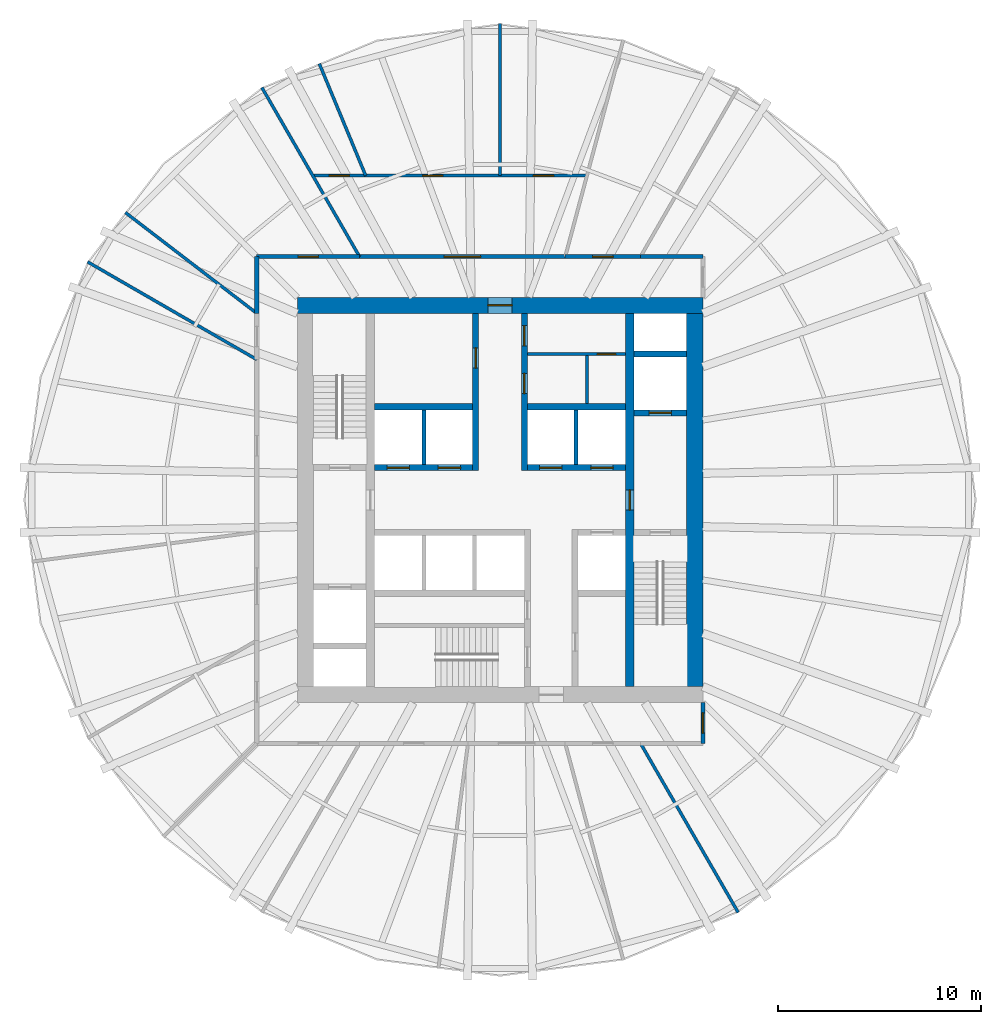
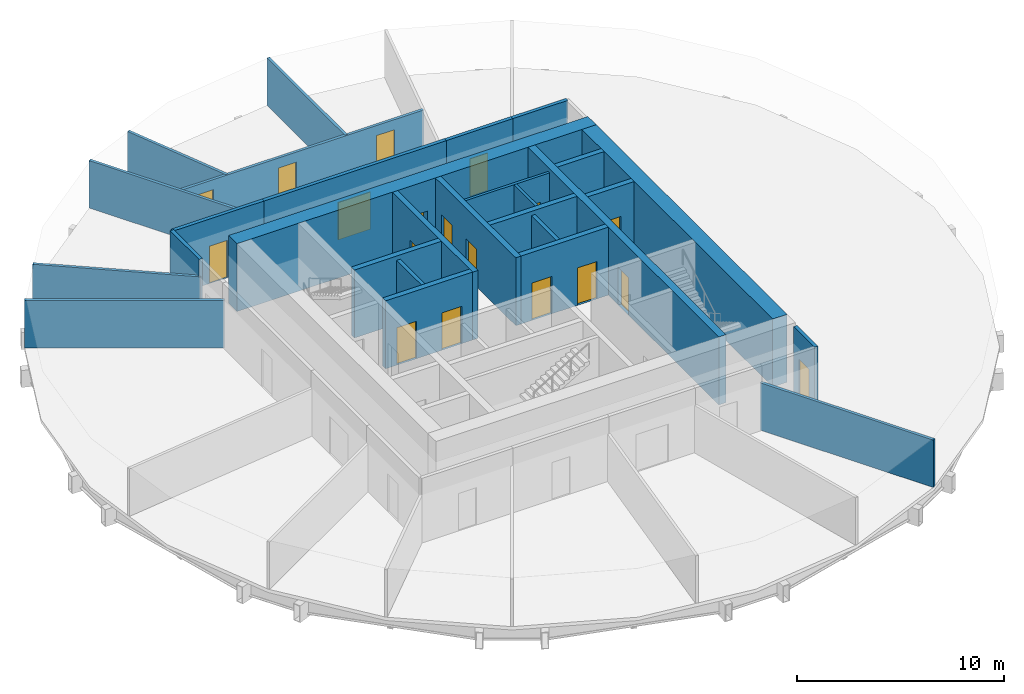
# One storey, part 4 of 6: 28 walls, 18 doors, 18 openings.
"""IFC4 building model written with IfcOpenShell, lengths in metres."""

from ifc_helpers import new_model, si_unit, direction, frame, frame_2d, origin, place, context, subcontext, project, spatial, rectangle, extrude, material, layer, layer_set, type_object, element, fill, save


model = new_model("IFC4")

# Units and contexts
model_context = context("Model", 3, precision=1e-05, world=origin(), true_north=direction((0.0, 1.0)))
body_context = subcontext(model_context, "Body", "Model", "MODEL_VIEW")
ifc_project = project(units=[si_unit("LENGTHUNIT", "METRE"), si_unit("AREAUNIT", "SQUARE_METRE"), si_unit("VOLUMEUNIT", "CUBIC_METRE"), si_unit("PLANEANGLEUNIT", "RADIAN"), si_unit("MASSUNIT", "GRAM", prefix="KILO")], contexts=[model_context])

# Site, building, storey
site_placement = place(None, origin())
site = spatial("IfcSite", under=ifc_project, at=site_placement, CompositionType="ELEMENT")
building_placement = place(site_placement, origin())
building = spatial("IfcBuilding", under=site, at=building_placement, Name="Golbaran Civic Tower", CompositionType="ELEMENT")
storey_placement = place(building_placement, frame((0.0, 0.0, 57.0)))
storey = spatial("IfcBuildingStorey", under=building, at=storey_placement, Name="L13", CompositionType="ELEMENT", Elevation=57.0)

# Wall, opening, door
ifc_material_1 = material(Name="Concrete block", Category="concrete")
ifc_layer_1 = layer(ifc_material_1, 0.14990234375, Name="Concrete block")
ifc_layer_set_1 = layer_set([ifc_layer_1], Name="Concrete block")
wall_type_1 = type_object("IfcWallType", Name="BLOCKWORK PARTITION 150", PredefinedType="PARTITIONING", material=ifc_layer_set_1)
wall_1_placement = place(storey_placement, frame((1.35009765625, 7.199951171875, 0.0), z_axis=(0.0, 0.0, 1.0), x_axis=(1.0, 0.0, 0.0)))
wall_1 = element("IfcWall", 1, at=wall_1_placement, inside=storey, type_object=wall_type_1, Name="Toilet block partition TN1 L13", PredefinedType="PARTITIONING", context=body_context, shape_type="SweptSolid", body=[
    extrude(rectangle(XDim=4.849853515625, YDim=0.14990234375, at=frame_2d((2.4248046875, 0.0))), origin(), (0.0, 0.0, 1.0), 3.75),
])
opening_1_placement = place(wall_1_placement, frame((3.449951171875, 0.0, 0.0)))
opening_1 = element("IfcOpeningElement", 2, at=opening_1_placement, cuts=wall_1, Name="Opening L13.CLN", PredefinedType="OPENING", context=body_context, shape_type="SweptSolid", body=[
    extrude(rectangle(XDim=0.89990234375, YDim=2.199951171875, at=frame_2d((0.449951171875, 1.10009765625))), frame((0.0, 0.0849609375, 0.0), z_axis=(0.0, -1.0, 0.0), x_axis=(1.0, 0.0, 0.0)), (0.0, 0.0, 1.0), 0.169921875),
])
ifc_material_2 = material(Name="Timber door set in steel frame", Category="steel")
door_type_1 = type_object("IfcDoorType", Name="RISER DOOR 900x2200", OperationType="SINGLE_SWING_LEFT", PredefinedType="DOOR", material=ifc_material_2)
door_1_placement = place(opening_1_placement, origin())
door_1 = element("IfcDoor", 3, at=door_1_placement, inside=storey, type_object=door_type_1, Name="Housekeeping Store door", OperationType="SINGLE_SWING_RIGHT", OverallHeight=2.199951171875, OverallWidth=0.89990234375, PredefinedType="DOOR", context=body_context, shape_type="SweptSolid", body=[
    extrude(rectangle(XDim=0.89990234375, YDim=2.199951171875, at=frame_2d((0.449951171875, 1.10009765625))), frame((0.0, 0.02490234375, 0.0), z_axis=(0.0, -1.0, 0.0), x_axis=(1.0, 0.0, 0.0)), (0.0, 0.0, 1.0), 0.050048828125),
])
fill(opening_1, door_1)

# Wall
wall_2_placement = place(storey_placement, frame((4.300048828125, 4.75, 0.0), z_axis=(0.0, 0.0, 1.0), x_axis=(0.0, 1.0, 0.0)))
element("IfcWall", 4, at=wall_2_placement, inside=storey, type_object=wall_type_1, Name="Toilet block partition TN2 L13", PredefinedType="PARTITIONING", context=body_context, shape_type="SweptSolid", body=[
    extrude(rectangle(XDim=2.375, YDim=0.14990234375, at=frame_2d((1.1875, 0.0))), origin(), (0.0, 0.0, 1.0), 3.75),
])

# Wall, opening, door
ifc_material_3 = material(Name="Concrete C50/60", Category="concrete")
ifc_layer_2 = layer(ifc_material_3, 0.39990234375, Name="Concrete C50/60")
ifc_layer_set_2 = layer_set([ifc_layer_2], Name="Concrete C50/60")
wall_type_2 = type_object("IfcWallType", Name="CORE WALL CONCRETE 400", PredefinedType="SOLIDWALL", material=ifc_layer_set_2)
wall_3_placement = place(storey_placement, frame((6.39990234375, 9.199951171875, 0.0), z_axis=(0.0, 0.0, 1.0), x_axis=(0.0, -1.0, 0.0)))
wall_3 = element("IfcWall", 5, at=wall_3_placement, inside=storey, type_object=wall_type_2, Name="Core wall IE L13", PredefinedType="SOLIDWALL", context=body_context, shape_type="SweptSolid", body=[
    extrude(rectangle(XDim=18.39990234375, YDim=0.39990234375, at=frame_2d((9.199951171875, 0.0))), origin(), (0.0, 0.0, 1.0), 4.0),
])
opening_2_placement = place(wall_3_placement, frame((8.699951171875, 0.0, 0.0)))
opening_2 = element("IfcOpeningElement", 6, at=opening_2_placement, cuts=wall_3, Name="Opening L13.FL2", PredefinedType="OPENING", context=body_context, shape_type="SweptSolid", body=[
    extrude(rectangle(XDim=1.0, YDim=2.199951171875, at=frame_2d((0.5, 1.10009765625))), frame((0.0, 0.2099609375, 0.0), z_axis=(0.0, -1.0, 0.0), x_axis=(1.0, 0.0, 0.0)), (0.0, 0.0, 1.0), 0.419921875),
])
door_type_2 = type_object("IfcDoorType", Name="STAIR DOOR 1000x2200", OperationType="SINGLE_SWING_LEFT", PredefinedType="DOOR", material=ifc_material_2)
door_2_placement = place(opening_2_placement, origin())
door_2 = element("IfcDoor", 7, at=door_2_placement, inside=storey, type_object=door_type_2, Name="Fire-fighting lobby FL2 door", OperationType="SINGLE_SWING_RIGHT", OverallHeight=2.199951171875, OverallWidth=1.0, PredefinedType="DOOR", context=body_context, shape_type="SweptSolid", body=[
    extrude(rectangle(XDim=1.0, YDim=2.199951171875, at=frame_2d((0.5, 1.10009765625))), frame((0.0, 0.02490234375, 0.0), z_axis=(0.0, -1.0, 0.0), x_axis=(1.0, 0.0, 0.0)), (0.0, 0.0, 1.0), 0.050048828125),
])
fill(opening_2, door_2)

ifc_layer_3 = layer(ifc_material_3, 0.800048828125, Name="Concrete C50/60")
ifc_layer_set_3 = layer_set([ifc_layer_3], Name="Concrete C50/60")
wall_type_3 = type_object("IfcWallType", Name="CORE WALL CONCRETE 800", PredefinedType="SOLIDWALL", material=ifc_layer_set_3)
wall_4_placement = place(storey_placement, frame((-10.0, 9.60009765625, 0.0), z_axis=(0.0, 0.0, 1.0), x_axis=(1.0, 0.0, 0.0)))
wall_4 = element("IfcWall", 8, at=wall_4_placement, inside=storey, type_object=wall_type_3, Name="Core wall CN L13", PredefinedType="SOLIDWALL", context=body_context, shape_type="SweptSolid", body=[
    extrude(rectangle(XDim=20.0, YDim=0.800048828125, at=frame_2d((10.0, 0.0))), origin(), (0.0, 0.0, 1.0), 4.0),
])
opening_3_placement = place(wall_4_placement, frame((9.39990234375, 0.0, 0.0)))
opening_3 = element("IfcOpeningElement", 9, at=opening_3_placement, cuts=wall_4, Name="Opening L13.CN", PredefinedType="OPENING", context=body_context, shape_type="SweptSolid", body=[
    extrude(rectangle(XDim=1.199951171875, YDim=2.199951171875, at=frame_2d((0.60009765625, 1.10009765625))), frame((0.0, 0.409912109375, 0.0), z_axis=(0.0, -1.0, 0.0), x_axis=(1.0, 0.0, 0.0)), (0.0, 0.0, 1.0), 0.820068359375),
])
door_type_3 = type_object("IfcDoorType", Name="CORE DOOR 1200x2200", OperationType="DOUBLE_DOOR_SINGLE_SWING", PredefinedType="DOOR", material=ifc_material_2)
door_3_placement = place(opening_3_placement, origin())
door_3 = element("IfcDoor", 10, at=door_3_placement, inside=storey, type_object=door_type_3, Name="Core door north", OperationType="DOUBLE_DOOR_SINGLE_SWING", OverallHeight=2.199951171875, OverallWidth=1.199951171875, PredefinedType="DOOR", context=body_context, shape_type="SweptSolid", body=[
    extrude(rectangle(XDim=1.199951171875, YDim=2.199951171875, at=frame_2d((0.60009765625, 1.10009765625))), frame((0.0, 0.02490234375, 0.0), z_axis=(0.0, -1.0, 0.0), x_axis=(1.0, 0.0, 0.0)), (0.0, 0.0, 1.0), 0.050048828125),
])
fill(opening_3, door_3)

# Walls
wall_5_placement = place(storey_placement, frame((9.60009765625, -9.199951171875, 0.0), z_axis=(0.0, 0.0, 1.0), x_axis=(0.0, 1.0, 0.0)))
element("IfcWall", 11, at=wall_5_placement, inside=storey, type_object=wall_type_3, Name="Core wall CE L13", PredefinedType="SOLIDWALL", context=body_context, shape_type="SweptSolid", body=[
    extrude(rectangle(XDim=18.39990234375, YDim=0.800048828125, at=frame_2d((9.199951171875, 0.0))), origin(), (0.0, 0.0, 1.0), 4.0),
])
ifc_material_4 = material(Name="Gypsum board on steel studs, fire-rated", Category="steel")
ifc_layer_4 = layer(ifc_material_4, 0.199951171875, Name="Gypsum board on steel studs, fire-rated")
ifc_layer_set_4 = layer_set([ifc_layer_4], Name="Gypsum board on steel studs, fire-rated")
wall_type_4 = type_object("IfcWallType", Name="CORRIDOR WALL 200", PredefinedType="PARTITIONING", material=ifc_layer_set_4)
wall_6_placement = place(storey_placement, frame((10.0, 12.0, 0.0), z_axis=(0.0, 0.0, 1.0), x_axis=(-1.0, 0.0, 0.0)))
element("IfcWall", 12, at=wall_6_placement, inside=storey, type_object=wall_type_4, Name="Corridor wall L13", PredefinedType="PARTITIONING", context=body_context, shape_type="SweptSolid", body=[
    extrude(rectangle(XDim=3.07177734375, YDim=0.199951171875, at=frame_2d((1.535888671875, 0.0))), origin(), (0.0, 0.0, 1.0), 3.800048828125),
])

# Wall, opening, door
wall_7_placement = place(storey_placement, frame((6.92822265625, 12.0, 0.0), z_axis=(0.0, 0.0, 1.0), x_axis=(-1.0, 0.0, 0.0)))
wall_7 = element("IfcWall", 13, at=wall_7_placement, inside=storey, type_object=wall_type_4, Name="Corridor wall L13", PredefinedType="PARTITIONING", context=body_context, shape_type="SweptSolid", body=[
    extrude(rectangle(XDim=3.712890625, YDim=0.199951171875, at=frame_2d((1.8564453125, 0.0))), origin(), (0.0, 0.0, 1.0), 3.800048828125),
])
opening_4_placement = place(wall_7_placement, frame((1.3564453125, 0.0, 0.0)))
opening_4 = element("IfcOpeningElement", 14, at=opening_4_placement, cuts=wall_7, Name="Opening L13.04", PredefinedType="OPENING", context=body_context, shape_type="SweptSolid", body=[
    extrude(rectangle(XDim=1.0, YDim=2.199951171875, at=frame_2d((0.5, 1.10009765625))), frame((0.0, 0.10986328125, 0.0), z_axis=(0.0, -1.0, 0.0), x_axis=(1.0, 0.0, 0.0)), (0.0, 0.0, 1.0), 0.219970703125),
])
door_type_4 = type_object("IfcDoorType", Name="OFFICE DOOR 1000x2200", OperationType="SINGLE_SWING_LEFT", PredefinedType="DOOR", material=ifc_material_2)
door_4_placement = place(opening_4_placement, origin())
door_4 = element("IfcDoor", 15, at=door_4_placement, inside=storey, type_object=door_type_4, Name="Meeting Room door L13", OperationType="SINGLE_SWING_RIGHT", OverallHeight=2.199951171875, OverallWidth=1.0, PredefinedType="DOOR", context=body_context, shape_type="SweptSolid", body=[
    extrude(rectangle(XDim=1.0, YDim=2.199951171875, at=frame_2d((0.5, 1.10009765625))), frame((0.0, 0.02490234375, 0.0), z_axis=(0.0, -1.0, 0.0), x_axis=(1.0, 0.0, 0.0)), (0.0, 0.0, 1.0), 0.050048828125),
])
fill(opening_4, door_4)

wall_8_placement = place(storey_placement, frame((3.21533203125, 12.0, 0.0), z_axis=(0.0, 0.0, 1.0), x_axis=(-1.0, 0.0, 0.0)))
wall_8 = element("IfcWall", 16, at=wall_8_placement, inside=storey, type_object=wall_type_4, Name="Corridor wall L13", PredefinedType="PARTITIONING", context=body_context, shape_type="SweptSolid", body=[
    extrude(rectangle(XDim=10.1435546875, YDim=0.199951171875, at=frame_2d((5.07177734375, 0.0))), origin(), (0.0, 0.0, 1.0), 3.800048828125),
])
opening_5_placement = place(wall_8_placement, frame((4.171875, 0.0, 0.0)))
opening_5 = element("IfcOpeningElement", 17, at=opening_5_placement, cuts=wall_8, Name="Opening L13.05", PredefinedType="OPENING", context=body_context, shape_type="SweptSolid", body=[
    extrude(rectangle(XDim=1.800048828125, YDim=2.199951171875, at=frame_2d((0.89990234375, 1.10009765625))), frame((0.0, 0.10986328125, 0.0), z_axis=(0.0, -1.0, 0.0), x_axis=(1.0, 0.0, 0.0)), (0.0, 0.0, 1.0), 0.219970703125),
])
door_type_5 = type_object("IfcDoorType", Name="OFFICE DOUBLE DOOR 1800x2200", OperationType="DOUBLE_DOOR_SINGLE_SWING", PredefinedType="DOOR", material=ifc_material_2)
door_5_placement = place(opening_5_placement, origin())
door_5 = element("IfcDoor", 18, at=door_5_placement, inside=storey, type_object=door_type_5, Name="Waiting Area door L13", OperationType="DOUBLE_DOOR_SINGLE_SWING", OverallHeight=2.199951171875, OverallWidth=1.800048828125, PredefinedType="DOOR", context=body_context, shape_type="SweptSolid", body=[
    extrude(rectangle(XDim=1.800048828125, YDim=2.199951171875, at=frame_2d((0.89990234375, 1.10009765625))), frame((0.0, 0.02490234375, 0.0), z_axis=(0.0, -1.0, 0.0), x_axis=(1.0, 0.0, 0.0)), (0.0, 0.0, 1.0), 0.050048828125),
])
fill(opening_5, door_5)

wall_9_placement = place(storey_placement, frame((-6.92822265625, 12.0, 0.0), z_axis=(0.0, 0.0, 1.0), x_axis=(-1.0, 0.0, 0.0)))
wall_9 = element("IfcWall", 19, at=wall_9_placement, inside=storey, type_object=wall_type_4, Name="Corridor wall L13", PredefinedType="PARTITIONING", context=body_context, shape_type="SweptSolid", body=[
    extrude(rectangle(XDim=5.07177734375, YDim=0.199951171875, at=frame_2d((2.535888671875, 0.0))), origin(), (0.0, 0.0, 1.0), 3.800048828125),
])
opening_6_placement = place(wall_9_placement, frame((2.035888671875, 0.0, 0.0)))
opening_6 = element("IfcOpeningElement", 20, at=opening_6_placement, cuts=wall_9, Name="Opening L13.06", PredefinedType="OPENING", context=body_context, shape_type="SweptSolid", body=[
    extrude(rectangle(XDim=1.0, YDim=2.199951171875, at=frame_2d((0.5, 1.10009765625))), frame((0.0, 0.10986328125, 0.0), z_axis=(0.0, -1.0, 0.0), x_axis=(1.0, 0.0, 0.0)), (0.0, 0.0, 1.0), 0.219970703125),
])
door_6_placement = place(opening_6_placement, origin())
door_6 = element("IfcDoor", 21, at=door_6_placement, inside=storey, type_object=door_type_4, Name="Meeting Room door L13", OperationType="SINGLE_SWING_RIGHT", OverallHeight=2.199951171875, OverallWidth=1.0, PredefinedType="DOOR", context=body_context, shape_type="SweptSolid", body=[
    extrude(rectangle(XDim=1.0, YDim=2.199951171875, at=frame_2d((0.5, 1.10009765625))), frame((0.0, 0.02490234375, 0.0), z_axis=(0.0, -1.0, 0.0), x_axis=(1.0, 0.0, 0.0)), (0.0, 0.0, 1.0), 0.050048828125),
])
fill(opening_6, door_6)

# Wall
wall_10_placement = place(storey_placement, frame((-12.0, 12.0, 0.0), z_axis=(0.0, 0.0, 1.0), x_axis=(0.0, -1.0, 0.0)))
element("IfcWall", 22, at=wall_10_placement, inside=storey, type_object=wall_type_4, Name="Corridor wall L13", PredefinedType="PARTITIONING", context=body_context, shape_type="SweptSolid", body=[
    extrude(rectangle(XDim=2.7919921875, YDim=0.199951171875, at=frame_2d((1.39599609375, 0.0))), origin(), (0.0, 0.0, 1.0), 3.800048828125),
])

# Wall, opening, door
wall_11_placement = place(storey_placement, frame((10.0, -10.0, 0.0), z_axis=(0.0, 0.0, 1.0), x_axis=(0.0, -1.0, 0.0)))
wall_11 = element("IfcWall", 23, at=wall_11_placement, inside=storey, type_object=wall_type_4, Name="Corridor end wall L13", PredefinedType="PARTITIONING", context=body_context, shape_type="SweptSolid", body=[
    extrude(rectangle(XDim=2.0, YDim=0.199951171875, at=frame_2d((1.0, 0.0))), origin(), (0.0, 0.0, 1.0), 3.800048828125),
])
opening_7_placement = place(wall_11_placement, frame((0.5, 0.0, 0.0)))
opening_7 = element("IfcOpeningElement", 24, at=opening_7_placement, cuts=wall_11, Name="Opening L13.16", PredefinedType="OPENING", context=body_context, shape_type="SweptSolid", body=[
    extrude(rectangle(XDim=1.0, YDim=2.199951171875, at=frame_2d((0.5, 1.10009765625))), frame((0.0, 0.10986328125, 0.0), z_axis=(0.0, -1.0, 0.0), x_axis=(1.0, 0.0, 0.0)), (0.0, 0.0, 1.0), 0.219970703125),
])
door_7_placement = place(opening_7_placement, origin())
door_7 = element("IfcDoor", 25, at=door_7_placement, inside=storey, type_object=door_type_4, Name="Open Office door L13", OperationType="SINGLE_SWING_RIGHT", OverallHeight=2.199951171875, OverallWidth=1.0, PredefinedType="DOOR", context=body_context, shape_type="SweptSolid", body=[
    extrude(rectangle(XDim=1.0, YDim=2.199951171875, at=frame_2d((0.5, 1.10009765625))), frame((0.0, 0.02490234375, 0.0), z_axis=(0.0, -1.0, 0.0), x_axis=(1.0, 0.0, 0.0)), (0.0, 0.0, 1.0), 0.050048828125),
])
fill(opening_7, door_7)

# Walls
ifc_layer_5 = layer(ifc_material_1, 0.199951171875, Name="Concrete block")
ifc_layer_set_5 = layer_set([ifc_layer_5], Name="Concrete block")
wall_type_5 = type_object("IfcWallType", Name="LIFT SEPARATOR WALL 200", PredefinedType="SOLIDWALL", material=ifc_layer_set_5)
for number, where, z_axis, x_axis, name in (
    (26, (-3.75, 1.75, 0.0), (0.0, 0.0, 1.0), (0.0, 1.0, 0.0), "Core partition SNW L13"),
    (27, (3.75, 1.75, 0.0), (0.0, 0.0, 1.0), (0.0, 1.0, 0.0), "Core partition SNE L13"),
):
    element("IfcWall", number, at=place(storey_placement, frame(where, z_axis=z_axis, x_axis=x_axis)), inside=storey, type_object=wall_type_5, Name=name, PredefinedType="SOLIDWALL", context=body_context, shape_type="SweptSolid", body=[
        extrude(rectangle(XDim=2.699951171875, YDim=0.199951171875, at=frame_2d((1.35009765625, 0.0))), origin(), (0.0, 0.0, 1.0), 3.75),
    ])
ifc_material_5 = material(Name="Gypsum board on steel studs", Category="steel")
ifc_layer_6 = layer(ifc_material_5, 0.14990234375, Name="Gypsum board on steel studs")
ifc_layer_set_6 = layer_set([ifc_layer_6], Name="Gypsum board on steel studs")
wall_type_6 = type_object("IfcWallType", Name="OFFICE PARTITION 150", PredefinedType="PARTITIONING", material=ifc_layer_set_6)
wall_12_placement = place(storey_placement, frame((-6.92822265625, 12.0, 0.0), z_axis=(0.0, 0.0, 1.0), x_axis=(-0.499991431567, 0.866030350715, 0.0)))
element("IfcWall", 28, at=wall_12_placement, inside=storey, type_object=wall_type_6, Name="Partition 120 L13", PredefinedType="PARTITIONING", context=body_context, shape_type="SweptSolid", body=[
    extrude(rectangle(XDim=9.637939453125, YDim=0.14990234375, at=frame_2d((4.81884765625, 0.0))), origin(), (0.0, 0.0, 1.0), 2.7900390625),
])
wall_13_placement = place(storey_placement, frame((-12.0, 9.2080078125, 0.0), z_axis=(0.0, 0.0, 1.0), x_axis=(-0.793362371633, 0.608749658954, 0.0)))
element("IfcWall", 29, at=wall_13_placement, inside=storey, type_object=wall_type_6, Name="Partition 142.5 L13", PredefinedType="PARTITIONING", context=body_context, shape_type="SweptSolid", body=[
    extrude(rectangle(XDim=8.16748046875, YDim=0.14990234375, at=frame_2d((4.083740234375, 0.0))), origin(), (0.0, 0.0, 1.0), 2.7900390625),
])
for number, where, z_axis, x_axis, name in (
    (30, (-12.0, 6.92822265625, 0.0), (0.0, 0.0, 1.0), (-0.866030350715, 0.499991431567, 0.0), "Partition 150 L13"),
    (31, (6.92822265625, -12.0, 0.0), (0.0, 0.0, 1.0), (0.499991431567, -0.866030350715, 0.0), "Partition 300 L13"),
):
    element("IfcWall", number, at=place(storey_placement, frame(where, z_axis=z_axis, x_axis=x_axis)), inside=storey, type_object=wall_type_6, Name=name, PredefinedType="PARTITIONING", context=body_context, shape_type="SweptSolid", body=[
        extrude(rectangle(XDim=9.637939453125, YDim=0.14990234375, at=frame_2d((4.81884765625, 0.0))), origin(), (0.0, 0.0, 1.0), 2.7900390625),
    ])

# Wall, openings, doors
wall_14_placement = place(storey_placement, frame((4.287109375, 16.0, 0.0), z_axis=(0.0, 0.0, 1.0), x_axis=(-1.0, 0.0, 0.0)))
wall_14 = element("IfcWall", 32, at=wall_14_placement, inside=storey, type_object=wall_type_6, Name="Suite partition L13", PredefinedType="PARTITIONING", context=body_context, shape_type="SweptSolid", body=[
    extrude(rectangle(XDim=13.524658203125, YDim=0.14990234375, at=frame_2d((6.76220703125, 0.0))), origin(), (0.0, 0.0, 1.0), 2.7900390625),
])
opening_8_placement = place(wall_14_placement, frame((1.6435546875, 0.0, 0.0)))
opening_8 = element("IfcOpeningElement", 33, at=opening_8_placement, cuts=wall_14, Name="Opening L13.01", PredefinedType="OPENING", context=body_context, shape_type="SweptSolid", body=[
    extrude(rectangle(XDim=1.0, YDim=2.199951171875, at=frame_2d((0.5, 1.10009765625))), frame((0.0, 0.0849609375, 0.0), z_axis=(0.0, -1.0, 0.0), x_axis=(1.0, 0.0, 0.0)), (0.0, 0.0, 1.0), 0.169921875),
])
opening_9_placement = place(wall_14_placement, frame((7.100830078125, 0.0, 0.0)))
opening_9 = element("IfcOpeningElement", 34, at=opening_9_placement, cuts=wall_14, Name="Opening L13.02", PredefinedType="OPENING", context=body_context, shape_type="SweptSolid", body=[
    extrude(rectangle(XDim=1.0, YDim=2.199951171875, at=frame_2d((0.5, 1.10009765625))), frame((0.0, 0.0849609375, 0.0), z_axis=(0.0, -1.0, 0.0), x_axis=(1.0, 0.0, 0.0)), (0.0, 0.0, 1.0), 0.169921875),
])
opening_10_placement = place(wall_14_placement, frame((11.7197265625, 0.0, 0.0)))
opening_10 = element("IfcOpeningElement", 35, at=opening_10_placement, cuts=wall_14, Name="Opening L13.03", PredefinedType="OPENING", context=body_context, shape_type="SweptSolid", body=[
    extrude(rectangle(XDim=1.0, YDim=2.199951171875, at=frame_2d((0.5, 1.10009765625))), frame((0.0, 0.0849609375, 0.0), z_axis=(0.0, -1.0, 0.0), x_axis=(1.0, 0.0, 0.0)), (0.0, 0.0, 1.0), 0.169921875),
])
door_8_placement = place(opening_8_placement, origin())
door_8 = element("IfcDoor", 36, at=door_8_placement, inside=storey, type_object=door_type_4, Name="Director's Office door L13", OperationType="SINGLE_SWING_LEFT", OverallHeight=2.199951171875, OverallWidth=1.0, PredefinedType="DOOR", context=body_context, shape_type="SweptSolid", body=[
    extrude(rectangle(XDim=1.0, YDim=2.199951171875, at=frame_2d((0.5, 1.10009765625))), frame((0.0, 0.02490234375, 0.0), z_axis=(0.0, -1.0, 0.0), x_axis=(1.0, 0.0, 0.0)), (0.0, 0.0, 1.0), 0.050048828125),
])
fill(opening_8, door_8)
door_9_placement = place(opening_9_placement, origin())
door_9 = element("IfcDoor", 37, at=door_9_placement, inside=storey, type_object=door_type_4, Name="Director's Office door L13", OperationType="SINGLE_SWING_RIGHT", OverallHeight=2.199951171875, OverallWidth=1.0, PredefinedType="DOOR", context=body_context, shape_type="SweptSolid", body=[
    extrude(rectangle(XDim=1.0, YDim=2.199951171875, at=frame_2d((0.5, 1.10009765625))), frame((0.0, 0.02490234375, 0.0), z_axis=(0.0, -1.0, 0.0), x_axis=(1.0, 0.0, 0.0)), (0.0, 0.0, 1.0), 0.050048828125),
])
fill(opening_9, door_9)
door_10_placement = place(opening_10_placement, origin())
door_10 = element("IfcDoor", 38, at=door_10_placement, inside=storey, type_object=door_type_4, Name="Office door L13", OperationType="SINGLE_SWING_RIGHT", OverallHeight=2.199951171875, OverallWidth=1.0, PredefinedType="DOOR", context=body_context, shape_type="SweptSolid", body=[
    extrude(rectangle(XDim=1.0, YDim=2.199951171875, at=frame_2d((0.5, 1.10009765625))), frame((0.0, 0.02490234375, 0.0), z_axis=(0.0, -1.0, 0.0), x_axis=(1.0, 0.0, 0.0)), (0.0, 0.0, 1.0), 0.050048828125),
])
fill(opening_10, door_10)

# Walls
wall_15_placement = place(storey_placement, frame((0.0, 16.0, 0.0), z_axis=(0.0, 0.0, 1.0), x_axis=(0.0, 1.0, 0.0)))
element("IfcWall", 39, at=wall_15_placement, inside=storey, type_object=wall_type_6, Name="Partition 90 L13", PredefinedType="PARTITIONING", context=body_context, shape_type="SweptSolid", body=[
    extrude(rectangle(XDim=7.494140625, YDim=0.14990234375, at=frame_2d((3.7470703125, 0.0))), origin(), (0.0, 0.0, 1.0), 2.7900390625),
])
wall_16_placement = place(storey_placement, frame((-6.62744140625, 16.0, 0.0), z_axis=(0.0, 0.0, 1.0), x_axis=(-0.382670574825, 0.923884858174, 0.0)))
element("IfcWall", 40, at=wall_16_placement, inside=storey, type_object=wall_type_6, Name="Partition 112.5 L13", PredefinedType="PARTITIONING", context=body_context, shape_type="SweptSolid", body=[
    extrude(rectangle(XDim=5.974853515625, YDim=0.14990234375, at=frame_2d((2.9873046875, 0.0))), origin(), (0.0, 0.0, 1.0), 2.7900390625),
])

# Wall, openings, doors
ifc_layer_7 = layer(ifc_material_3, 0.300048828125, Name="Concrete C50/60")
ifc_layer_set_7 = layer_set([ifc_layer_7], Name="Concrete C50/60")
wall_type_7 = type_object("IfcWallType", Name="SHAFT WALL CONCRETE 300", PredefinedType="SOLIDWALL", material=ifc_layer_set_7)
wall_17_placement = place(storey_placement, frame((-6.199951171875, 1.60009765625, 0.0), z_axis=(0.0, 0.0, 1.0), x_axis=(1.0, 0.0, 0.0)))
wall_17 = element("IfcWall", 41, at=wall_17_placement, inside=storey, type_object=wall_type_7, Name="Core wall FNW L13", PredefinedType="SOLIDWALL", context=body_context, shape_type="SweptSolid", body=[
    extrude(rectangle(XDim=4.849853515625, YDim=0.300048828125, at=frame_2d((2.4248046875, 0.0))), origin(), (0.0, 0.0, 1.0), 4.0),
])
opening_11_placement = place(wall_17_placement, frame((0.625, 0.0, 0.0)))
opening_11 = element("IfcOpeningElement", 42, at=opening_11_placement, cuts=wall_17, Name="Opening L13.LD-Z1L", PredefinedType="OPENING", context=body_context, shape_type="SweptSolid", body=[
    extrude(rectangle(XDim=1.10009765625, YDim=2.199951171875, at=frame_2d((0.550048828125, 1.10009765625))), frame((0.0, 0.159912109375, 0.0), z_axis=(0.0, -1.0, 0.0), x_axis=(1.0, 0.0, 0.0)), (0.0, 0.0, 1.0), 0.320068359375),
])
opening_12_placement = place(wall_17_placement, frame((3.14990234375, 0.0, 0.0)))
opening_12 = element("IfcOpeningElement", 43, at=opening_12_placement, cuts=wall_17, Name="Opening L13.LD-Z2L", PredefinedType="OPENING", context=body_context, shape_type="SweptSolid", body=[
    extrude(rectangle(XDim=1.10009765625, YDim=2.199951171875, at=frame_2d((0.550048828125, 1.10009765625))), frame((0.0, 0.159912109375, 0.0), z_axis=(0.0, -1.0, 0.0), x_axis=(1.0, 0.0, 0.0)), (0.0, 0.0, 1.0), 0.320068359375),
])
ifc_material_6 = material(Name="Stainless steel", Category="steel")
door_type_6 = type_object("IfcDoorType", Name="LIFT LANDING DOOR 1100x2200", OperationType="SLIDING_TO_LEFT", PredefinedType="DOOR", material=ifc_material_6)
door_11_placement = place(opening_11_placement, origin())
door_11 = element("IfcDoor", 44, at=door_11_placement, inside=storey, type_object=door_type_6, Name="Lift landing door Z1L", OperationType="SLIDING_TO_LEFT", OverallHeight=2.199951171875, OverallWidth=1.10009765625, PredefinedType="DOOR", context=body_context, shape_type="SweptSolid", body=[
    extrude(rectangle(XDim=1.10009765625, YDim=2.199951171875, at=frame_2d((0.550048828125, 1.10009765625))), frame((0.0, 0.02490234375, 0.0), z_axis=(0.0, -1.0, 0.0), x_axis=(1.0, 0.0, 0.0)), (0.0, 0.0, 1.0), 0.050048828125),
])
fill(opening_11, door_11)
door_12_placement = place(opening_12_placement, origin())
door_12 = element("IfcDoor", 45, at=door_12_placement, inside=storey, type_object=door_type_6, Name="Lift landing door Z2L", OperationType="SLIDING_TO_LEFT", OverallHeight=2.199951171875, OverallWidth=1.10009765625, PredefinedType="DOOR", context=body_context, shape_type="SweptSolid", body=[
    extrude(rectangle(XDim=1.10009765625, YDim=2.199951171875, at=frame_2d((0.550048828125, 1.10009765625))), frame((0.0, 0.02490234375, 0.0), z_axis=(0.0, -1.0, 0.0), x_axis=(1.0, 0.0, 0.0)), (0.0, 0.0, 1.0), 0.050048828125),
])
fill(opening_12, door_12)

wall_18_placement = place(storey_placement, frame((1.35009765625, 1.60009765625, 0.0), z_axis=(0.0, 0.0, 1.0), x_axis=(1.0, 0.0, 0.0)))
wall_18 = element("IfcWall", 46, at=wall_18_placement, inside=storey, type_object=wall_type_7, Name="Core wall FNE L13", PredefinedType="SOLIDWALL", context=body_context, shape_type="SweptSolid", body=[
    extrude(rectangle(XDim=4.849853515625, YDim=0.300048828125, at=frame_2d((2.4248046875, 0.0))), origin(), (0.0, 0.0, 1.0), 4.0),
])
opening_13_placement = place(wall_18_placement, frame((0.60009765625, 0.0, 0.0)))
opening_13 = element("IfcOpeningElement", 47, at=opening_13_placement, cuts=wall_18, Name="Opening L13.LD-Z3L", PredefinedType="OPENING", context=body_context, shape_type="SweptSolid", body=[
    extrude(rectangle(XDim=1.10009765625, YDim=2.199951171875, at=frame_2d((0.550048828125, 1.10009765625))), frame((0.0, 0.159912109375, 0.0), z_axis=(0.0, -1.0, 0.0), x_axis=(1.0, 0.0, 0.0)), (0.0, 0.0, 1.0), 0.320068359375),
])
opening_14_placement = place(wall_18_placement, frame((3.125, 0.0, 0.0)))
opening_14 = element("IfcOpeningElement", 48, at=opening_14_placement, cuts=wall_18, Name="Opening L13.LD-Z4L", PredefinedType="OPENING", context=body_context, shape_type="SweptSolid", body=[
    extrude(rectangle(XDim=1.10009765625, YDim=2.199951171875, at=frame_2d((0.550048828125, 1.10009765625))), frame((0.0, 0.159912109375, 0.0), z_axis=(0.0, -1.0, 0.0), x_axis=(1.0, 0.0, 0.0)), (0.0, 0.0, 1.0), 0.320068359375),
])
door_13_placement = place(opening_13_placement, origin())
door_13 = element("IfcDoor", 49, at=door_13_placement, inside=storey, type_object=door_type_6, Name="Lift landing door Z3L", OperationType="SLIDING_TO_LEFT", OverallHeight=2.199951171875, OverallWidth=1.10009765625, PredefinedType="DOOR", context=body_context, shape_type="SweptSolid", body=[
    extrude(rectangle(XDim=1.10009765625, YDim=2.199951171875, at=frame_2d((0.550048828125, 1.10009765625))), frame((0.0, 0.02490234375, 0.0), z_axis=(0.0, -1.0, 0.0), x_axis=(1.0, 0.0, 0.0)), (0.0, 0.0, 1.0), 0.050048828125),
])
fill(opening_13, door_13)
door_14_placement = place(opening_14_placement, origin())
door_14 = element("IfcDoor", 50, at=door_14_placement, inside=storey, type_object=door_type_6, Name="Lift landing door Z4L", OperationType="SLIDING_TO_LEFT", OverallHeight=2.199951171875, OverallWidth=1.10009765625, PredefinedType="DOOR", context=body_context, shape_type="SweptSolid", body=[
    extrude(rectangle(XDim=1.10009765625, YDim=2.199951171875, at=frame_2d((0.550048828125, 1.10009765625))), frame((0.0, 0.02490234375, 0.0), z_axis=(0.0, -1.0, 0.0), x_axis=(1.0, 0.0, 0.0)), (0.0, 0.0, 1.0), 0.050048828125),
])
fill(opening_14, door_14)

# Walls
for number, where, z_axis, x_axis, name in (
    (51, (-6.199951171875, 4.60009765625, 0.0), (0.0, 0.0, 1.0), (1.0, 0.0, 0.0), "Core wall BNW L13"),
    (52, (1.35009765625, 4.60009765625, 0.0), (0.0, 0.0, 1.0), (1.0, 0.0, 0.0), "Core wall BNE L13"),
):
    element("IfcWall", number, at=place(storey_placement, frame(where, z_axis=z_axis, x_axis=x_axis)), inside=storey, type_object=wall_type_7, Name=name, PredefinedType="SOLIDWALL", context=body_context, shape_type="SweptSolid", body=[
        extrude(rectangle(XDim=4.849853515625, YDim=0.300048828125, at=frame_2d((2.4248046875, 0.0))), origin(), (0.0, 0.0, 1.0), 4.0),
    ])

# Wall, opening, door
wall_19_placement = place(storey_placement, frame((-1.199951171875, 1.449951171875, 0.0), z_axis=(0.0, 0.0, 1.0), x_axis=(0.0, 1.0, 0.0)))
wall_19 = element("IfcWall", 53, at=wall_19_placement, inside=storey, type_object=wall_type_7, Name="Core wall PNW L13", PredefinedType="SOLIDWALL", context=body_context, shape_type="SweptSolid", body=[
    extrude(rectangle(XDim=7.75, YDim=0.300048828125, at=frame_2d((3.875, 0.0))), origin(), (0.0, 0.0, 1.0), 4.0),
])
opening_15_placement = place(wall_19_placement, frame((5.050048828125, 0.0, 0.0)))
opening_15 = element("IfcOpeningElement", 54, at=opening_15_placement, cuts=wall_19, Name="Opening L13.WCM", PredefinedType="OPENING", context=body_context, shape_type="SweptSolid", body=[
    extrude(rectangle(XDim=1.0, YDim=2.199951171875, at=frame_2d((0.5, 1.10009765625))), frame((0.0, 0.159912109375, 0.0), z_axis=(0.0, -1.0, 0.0), x_axis=(1.0, 0.0, 0.0)), (0.0, 0.0, 1.0), 0.320068359375),
])
door_type_7 = type_object("IfcDoorType", Name="TOILET DOOR 1000x2200", OperationType="SINGLE_SWING_LEFT", PredefinedType="DOOR", material=ifc_material_2)
door_15_placement = place(opening_15_placement, origin())
door_15 = element("IfcDoor", 55, at=door_15_placement, inside=storey, type_object=door_type_7, Name="North-west toilet block door", OperationType="SINGLE_SWING_RIGHT", OverallHeight=2.199951171875, OverallWidth=1.0, PredefinedType="DOOR", context=body_context, shape_type="SweptSolid", body=[
    extrude(rectangle(XDim=1.0, YDim=2.199951171875, at=frame_2d((0.5, 1.10009765625))), frame((0.0, 0.02490234375, 0.0), z_axis=(0.0, -1.0, 0.0), x_axis=(1.0, 0.0, 0.0)), (0.0, 0.0, 1.0), 0.050048828125),
])
fill(opening_15, door_15)

# Wall, openings, doors
wall_20_placement = place(storey_placement, frame((1.199951171875, 1.449951171875, 0.0), z_axis=(0.0, 0.0, 1.0), x_axis=(0.0, 1.0, 0.0)))
wall_20 = element("IfcWall", 56, at=wall_20_placement, inside=storey, type_object=wall_type_7, Name="Core wall PNE L13", PredefinedType="SOLIDWALL", context=body_context, shape_type="SweptSolid", body=[
    extrude(rectangle(XDim=7.75, YDim=0.300048828125, at=frame_2d((3.875, 0.0))), origin(), (0.0, 0.0, 1.0), 4.0),
])
opening_16_placement = place(wall_20_placement, frame((3.800048828125, 0.0, 0.0)))
opening_16 = element("IfcOpeningElement", 57, at=opening_16_placement, cuts=wall_20, Name="Opening L13.WCA", PredefinedType="OPENING", context=body_context, shape_type="SweptSolid", body=[
    extrude(rectangle(XDim=1.0, YDim=2.199951171875, at=frame_2d((0.5, 1.10009765625))), frame((0.0, 0.159912109375, 0.0), z_axis=(0.0, -1.0, 0.0), x_axis=(1.0, 0.0, 0.0)), (0.0, 0.0, 1.0), 0.320068359375),
])
opening_17_placement = place(wall_20_placement, frame((6.14990234375, 0.0, 0.0)))
opening_17 = element("IfcOpeningElement", 58, at=opening_17_placement, cuts=wall_20, Name="Opening L13.WCF", PredefinedType="OPENING", context=body_context, shape_type="SweptSolid", body=[
    extrude(rectangle(XDim=1.0, YDim=2.199951171875, at=frame_2d((0.5, 1.10009765625))), frame((0.0, 0.159912109375, 0.0), z_axis=(0.0, -1.0, 0.0), x_axis=(1.0, 0.0, 0.0)), (0.0, 0.0, 1.0), 0.320068359375),
])
door_16_placement = place(opening_16_placement, origin())
door_16 = element("IfcDoor", 59, at=door_16_placement, inside=storey, type_object=door_type_7, Name="Accessible WC door", OperationType="SINGLE_SWING_RIGHT", OverallHeight=2.199951171875, OverallWidth=1.0, PredefinedType="DOOR", context=body_context, shape_type="SweptSolid", body=[
    extrude(rectangle(XDim=1.0, YDim=2.199951171875, at=frame_2d((0.5, 1.10009765625))), frame((0.0, 0.02490234375, 0.0), z_axis=(0.0, -1.0, 0.0), x_axis=(1.0, 0.0, 0.0)), (0.0, 0.0, 1.0), 0.050048828125),
])
fill(opening_16, door_16)
door_17_placement = place(opening_17_placement, origin())
door_17 = element("IfcDoor", 60, at=door_17_placement, inside=storey, type_object=door_type_7, Name="North-east toilet block door", OperationType="SINGLE_SWING_RIGHT", OverallHeight=2.199951171875, OverallWidth=1.0, PredefinedType="DOOR", context=body_context, shape_type="SweptSolid", body=[
    extrude(rectangle(XDim=1.0, YDim=2.199951171875, at=frame_2d((0.5, 1.10009765625))), frame((0.0, 0.02490234375, 0.0), z_axis=(0.0, -1.0, 0.0), x_axis=(1.0, 0.0, 0.0)), (0.0, 0.0, 1.0), 0.050048828125),
])
fill(opening_17, door_17)

# Wall, opening, door
wall_21_placement = place(storey_placement, frame((6.60009765625, 4.300048828125, 0.0), z_axis=(0.0, 0.0, 1.0), x_axis=(1.0, 0.0, 0.0)))
wall_21 = element("IfcWall", 61, at=wall_21_placement, inside=storey, type_object=wall_type_7, Name="Core wall XE2 L13", PredefinedType="SOLIDWALL", context=body_context, shape_type="SweptSolid", body=[
    extrude(rectangle(XDim=2.599853515625, YDim=0.300048828125, at=frame_2d((1.2998046875, 0.0))), origin(), (0.0, 0.0, 1.0), 4.0),
])
opening_18_placement = place(wall_21_placement, frame((0.75, 0.0, 0.0)))
opening_18 = element("IfcOpeningElement", 62, at=opening_18_placement, cuts=wall_21, Name="Opening L13.LD-F2", PredefinedType="OPENING", context=body_context, shape_type="SweptSolid", body=[
    extrude(rectangle(XDim=1.10009765625, YDim=2.199951171875, at=frame_2d((0.550048828125, 1.10009765625))), frame((0.0, 0.159912109375, 0.0), z_axis=(0.0, -1.0, 0.0), x_axis=(1.0, 0.0, 0.0)), (0.0, 0.0, 1.0), 0.320068359375),
])
door_18_placement = place(opening_18_placement, origin())
door_18 = element("IfcDoor", 63, at=door_18_placement, inside=storey, type_object=door_type_6, Name="Lift landing door F2", OperationType="SLIDING_TO_LEFT", OverallHeight=2.199951171875, OverallWidth=1.10009765625, PredefinedType="DOOR", context=body_context, shape_type="SweptSolid", body=[
    extrude(rectangle(XDim=1.10009765625, YDim=2.199951171875, at=frame_2d((0.550048828125, 1.10009765625))), frame((0.0, 0.02490234375, 0.0), z_axis=(0.0, -1.0, 0.0), x_axis=(1.0, 0.0, 0.0)), (0.0, 0.0, 1.0), 0.050048828125),
])
fill(opening_18, door_18)

# Wall
wall_22_placement = place(storey_placement, frame((6.60009765625, 7.199951171875, 0.0), z_axis=(0.0, 0.0, 1.0), x_axis=(1.0, 0.0, 0.0)))
element("IfcWall", 64, at=wall_22_placement, inside=storey, type_object=wall_type_7, Name="Core wall XE3 L13", PredefinedType="SOLIDWALL", context=body_context, shape_type="SweptSolid", body=[
    extrude(rectangle(XDim=2.599853515625, YDim=0.300048828125, at=frame_2d((1.2998046875, 0.0))), origin(), (0.0, 0.0, 1.0), 4.0),
])

save(model, "model.ifc")
